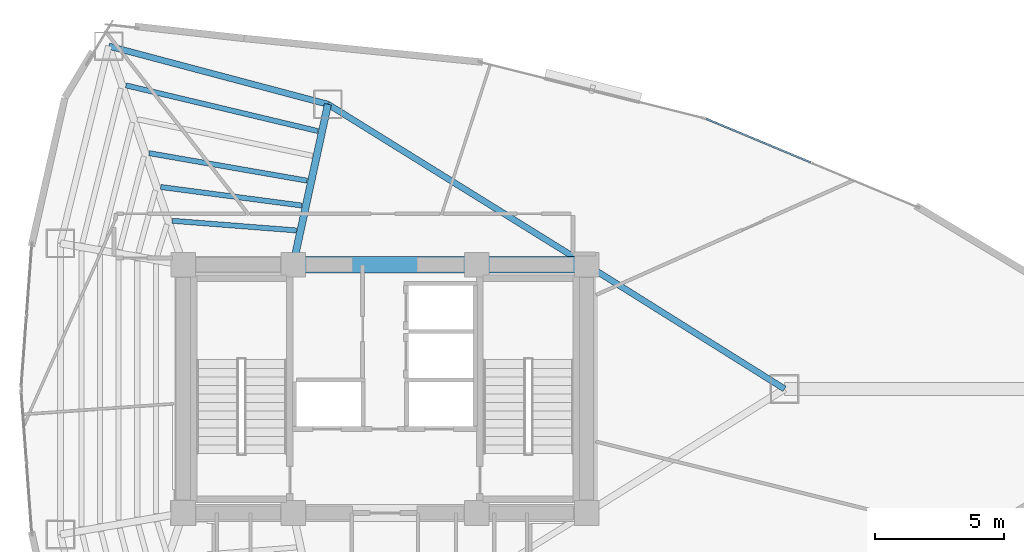
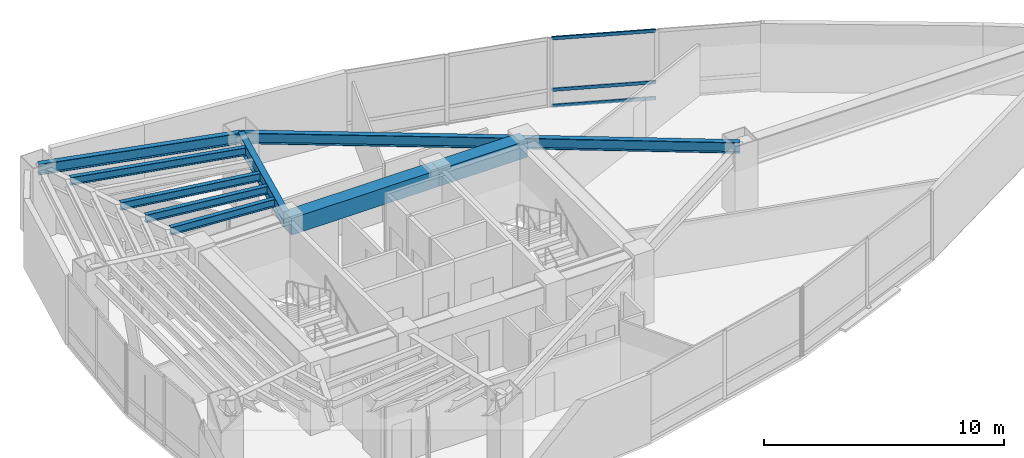
# One storey, part 8 of 18: 10 beams, 3 members, 1 element without a shape of its own.
"""IFC4 building model written with IfcOpenShell, lengths in metres."""

from ifc_helpers import new_model, si_unit, direction, frame, origin, origin_2d, place, context, subcontext, project, spatial, rectangle, hollow_rectangle, i_section, extrude, material, layer, layer_set, material_profile, profile_set, type_object, element, aggregate, save


model = new_model("IFC4")

# Units and contexts
model_context = context("Model", 3, precision=1e-05, world=origin(), true_north=direction((0.0, 1.0)))
body_context = subcontext(model_context, "Body", "Model", "MODEL_VIEW")
ifc_project = project(units=[si_unit("LENGTHUNIT", "METRE"), si_unit("AREAUNIT", "SQUARE_METRE"), si_unit("VOLUMEUNIT", "CUBIC_METRE"), si_unit("PLANEANGLEUNIT", "RADIAN"), si_unit("MASSUNIT", "GRAM", prefix="KILO")], contexts=[model_context])

# Site, building, storey
site_placement = place(None, origin())
site = spatial("IfcSite", under=ifc_project, at=site_placement, CompositionType="ELEMENT")
building_placement = place(site_placement, origin())
building = spatial("IfcBuilding", under=site, at=building_placement, Name="Menara Vayukalpa", CompositionType="ELEMENT")
storey_placement = place(building_placement, frame((0.0, 0.0, 158.0400390625)))
storey = spatial("IfcBuildingStorey", under=building, at=storey_placement, Name="L39", CompositionType="ELEMENT", Elevation=158.0400390625)

# Beams
ifc_material_1 = material(Name="Concrete C60/75", Category="concrete")
ifc_material_profile_1 = material_profile(ifc_material_1, rectangle(XDim=0.64990234375, YDim=0.85009765625, at=origin_2d()), Name="RC 650x850")
ifc_profile_set_1 = profile_set([ifc_material_profile_1], Name="Concrete C60/75")
beam_type_1 = type_object("IfcBeamType", Name="BM-CB1", PredefinedType="BEAM", material=ifc_profile_set_1)
beam_1_placement = place(storey_placement, frame((22.050048828125, 26.800048828125, 3.074951171875), z_axis=(1.0, 0.0, 0.0), x_axis=(0.0, 1.0, 0.0)))
element("IfcBeam", 1, at=beam_1_placement, inside=storey, type_object=beam_type_1, Name="L39 Core Tie Beam CBR5", PredefinedType="BEAM", context=body_context, shape_type="SweptSolid", body=[
    extrude(rectangle(XDim=0.64990234375, YDim=0.85009765625, at=origin_2d()), origin(), (0.0, 0.0, 1.0), 7.099853515625),
])
beam_2_placement = place(storey_placement, frame((29.14990234375, 26.800048828125, 3.074951171875), z_axis=(1.0, 0.0, 0.0), x_axis=(0.0, 1.0, 0.0)))
element("IfcBeam", 2, at=beam_2_placement, inside=storey, type_object=beam_type_1, Name="L39 Core Tie Beam CBR6", PredefinedType="BEAM", context=body_context, shape_type="SweptSolid", body=[
    extrude(rectangle(XDim=0.64990234375, YDim=0.85009765625, at=origin_2d()), origin(), (0.0, 0.0, 1.0), 4.25),
])
ifc_material_2 = material(Name="Steel S355", Category="steel")
ifc_material_profile_2 = material_profile(ifc_material_2, i_section(OverallWidth=0.280029296875, OverallDepth=0.75, WebThickness=0.013916015625, FlangeThickness=0.02490234375, at=origin_2d()), Name="WF 750x280x14x25")
ifc_profile_set_2 = profile_set([ifc_material_profile_2], Name="Steel S355")
beam_type_2 = type_object("IfcBeamType", Name="BM-PG4", PredefinedType="BEAM", material=ifc_profile_set_2)
beam_3_placement = place(storey_placement, frame((22.10302734375, 27.044189453125, 3.125), z_axis=(0.211898459532, 0.9772916877, 0.0), x_axis=(-0.9772916877, 0.211898459532, 0.0)))
element("IfcBeam", 3, at=beam_3_placement, inside=storey, type_object=beam_type_2, Name="L39 Primary Radial Girder RG03", PredefinedType="BEAM", context=body_context, shape_type="SweptSolid", body=[
    extrude(i_section(OverallWidth=0.280029296875, OverallDepth=0.75, WebThickness=0.013916015625, FlangeThickness=0.02490234375, at=origin_2d()), origin(), (0.0, 0.0, 1.0), 6.1064453125),
])
ifc_material_3 = material(Name="Steel S355", Category="steel")
ifc_material_profile_3 = material_profile(ifc_material_3, i_section(OverallWidth=0.199951171875, OverallDepth=0.39990234375, WebThickness=0.008056640625, FlangeThickness=0.012939453125, at=origin_2d()), Name="WF 400x200x8x13")
ifc_profile_set_3 = profile_set([ifc_material_profile_3], Name="Steel S355")
beam_type_3 = type_object("IfcBeamType", Name="BM-SJ2", PredefinedType="JOIST", material=ifc_profile_set_3)
beam_4_placement = place(storey_placement, frame((22.176513671875, 28.130859375, 3.300048828125), z_axis=(-0.996983386276, 0.077615252944, 0.0), x_axis=(-0.077615252944, -0.996983386276, 0.0)))
element("IfcBeam", 4, at=beam_4_placement, inside=storey, type_object=beam_type_3, Name="L39 Secondary Floor Joist SJ03-1", PredefinedType="JOIST", context=body_context, shape_type="SweptSolid", body=[
    extrude(i_section(OverallWidth=0.199951171875, OverallDepth=0.39990234375, WebThickness=0.008056640625, FlangeThickness=0.012939453125, at=origin_2d()), origin(), (0.0, 0.0, 1.0), 4.81591796875),
])
beam_5_placement = place(storey_placement, frame((22.38427734375, 29.09423828125, 3.300048828125), z_axis=(-0.991462596105, 0.130391412773, 0.0), x_axis=(-0.130391412773, -0.991462596105, 0.0)))
element("IfcBeam", 5, at=beam_5_placement, inside=storey, type_object=beam_type_3, Name="L39 Secondary Floor Joist SJ03-2", PredefinedType="JOIST", context=body_context, shape_type="SweptSolid", body=[
    extrude(i_section(OverallWidth=0.199951171875, OverallDepth=0.39990234375, WebThickness=0.008056640625, FlangeThickness=0.012939453125, at=origin_2d()), origin(), (0.0, 0.0, 1.0), 5.504638671875),
])
beam_6_placement = place(storey_placement, frame((22.59228515625, 30.0556640625, 3.300048828125), z_axis=(-0.985157431798, 0.171653239334, 0.0), x_axis=(-0.171653239334, -0.985157431798, 0.0)))
element("IfcBeam", 6, at=beam_6_placement, inside=storey, type_object=beam_type_3, Name="L39 Secondary Floor Joist SJ03-3", PredefinedType="JOIST", context=body_context, shape_type="SweptSolid", body=[
    extrude(i_section(OverallWidth=0.199951171875, OverallDepth=0.39990234375, WebThickness=0.008056640625, FlangeThickness=0.012939453125, at=origin_2d()), origin(), (0.0, 0.0, 1.0), 6.206787109375),
])
beam_7_placement = place(storey_placement, frame((23.00830078125, 31.974853515625, 3.300048828125), z_axis=(-0.972815476519, 0.231581624151, 0.0), x_axis=(-0.231581624151, -0.972815476519, 0.0)))
element("IfcBeam", 7, at=beam_7_placement, inside=storey, type_object=beam_type_3, Name="L39 Secondary Floor Joist SJ03-5", PredefinedType="JOIST", context=body_context, shape_type="SweptSolid", body=[
    extrude(i_section(OverallWidth=0.199951171875, OverallDepth=0.39990234375, WebThickness=0.008056640625, FlangeThickness=0.012939453125, at=origin_2d()), origin(), (0.0, 0.0, 1.0), 7.6357421875),
])
ifc_material_4 = material(Name="Steel S355", Category="steel")
ifc_material_profile_4 = material_profile(ifc_material_4, i_section(OverallWidth=0.239990234375, OverallDepth=0.550048828125, WebThickness=0.010986328125, FlangeThickness=0.01904296875, at=origin_2d()), Name="WF 550x240x11x19")
ifc_profile_set_4 = profile_set([ifc_material_profile_4], Name="Steel S355")
beam_type_4 = type_object("IfcBeamType", Name="BM-SP2", PredefinedType="SPANDREL", material=ifc_profile_set_4)
beam_8_placement = place(storey_placement, frame((41.05908203125, 22.0, 3.224853515625), z_axis=(-0.847348220701, 0.531037656739, 0.0), x_axis=(-0.531037656739, -0.847348220701, 0.0)))
element("IfcBeam", 8, at=beam_8_placement, inside=storey, type_object=beam_type_4, Name="L39 Perimeter Spandrel Beam SP01", PredefinedType="SPANDREL", context=body_context, shape_type="SweptSolid", body=[
    extrude(i_section(OverallWidth=0.239990234375, OverallDepth=0.550048828125, WebThickness=0.010986328125, FlangeThickness=0.01904296875, at=origin_2d()), origin(), (0.0, 0.0, 1.0), 9.0390625),
])
beam_9_placement = place(storey_placement, frame((33.39990234375, 26.800048828125, 3.224853515625), z_axis=(-0.849518408464, 0.527558976495, 0.0), x_axis=(-0.527558976495, -0.849518408464, 0.0)))
element("IfcBeam", 9, at=beam_9_placement, inside=storey, type_object=beam_type_4, Name="L39 Perimeter Spandrel Beam SP02", PredefinedType="SPANDREL", context=body_context, shape_type="SweptSolid", body=[
    extrude(i_section(OverallWidth=0.239990234375, OverallDepth=0.550048828125, WebThickness=0.010986328125, FlangeThickness=0.01904296875, at=origin_2d()), origin(), (0.0, 0.0, 1.0), 11.77490234375),
])
beam_10_placement = place(storey_placement, frame((23.39697265625, 33.011962890625, 3.224853515625), z_axis=(-0.96657141455, 0.256397544009, 0.0), x_axis=(-0.256397544009, -0.96657141455, 0.0)))
element("IfcBeam", 10, at=beam_10_placement, inside=storey, type_object=beam_type_4, Name="L39 Perimeter Spandrel Beam SP03", PredefinedType="SPANDREL", context=body_context, shape_type="SweptSolid", body=[
    extrude(i_section(OverallWidth=0.239990234375, OverallDepth=0.550048828125, WebThickness=0.010986328125, FlangeThickness=0.01904296875, at=origin_2d()), origin(), (0.0, 0.0, 1.0), 8.769775390625),
])

# Curtain wall, members
ifc_material_5 = material(Name="Anodised Terracotta Aluminium Alloy 6063-T6", Category="masonry")
ifc_layer = layer(ifc_material_5, 0.179931640625)
ifc_layer_set = layer_set([ifc_layer], Name="Anodised Terracotta Aluminium Alloy 6063-T6")
curtain_wall_type = type_object("IfcCurtainWallType", Name="CW-CW4", PredefinedType="USERDEFINED", material=ifc_layer_set)
curtain_wall_placement = place(storey_placement, origin())
curtain_wall = element("IfcCurtainWall", 11, at=curtain_wall_placement, inside=storey, type_object=curtain_wall_type, Name="L39 Sky Bar Cantilever Glazed Curtain Wall CW4 04", ObjectType="UNITISED", PredefinedType="USERDEFINED")
ifc_material_6 = material(Name="Anodised Terracotta Aluminium Alloy 6063-T6", Category="masonry")
ifc_material_profile_5 = material_profile(ifc_material_6, hollow_rectangle(XDim=0.070068359375, YDim=0.1650390625, WallThickness=0.00390625, at=origin_2d()), Name="ALU 70x165x4")
ifc_profile_set_5 = profile_set([ifc_material_profile_5], Name="Anodised Terracotta Aluminium Alloy 6063-T6")
member_type = type_object("IfcMemberType", Name="CWT-CW4", PredefinedType="USERDEFINED", material=ifc_profile_set_5)
member_1_placement = place(storey_placement, frame((42.063720703125, 30.765869140625, 0.034912109375), z_axis=(-0.922868513183, 0.385115187152, 0.0), x_axis=(-0.385115187152, -0.922868513183, 0.0)))
member_1 = element("IfcMember", 12, at=member_1_placement, type_object=member_type, Name="CW4 transom 2.1", ObjectType="TRANSOM", PredefinedType="USERDEFINED", context=body_context, shape_type="SweptSolid", body=[
    extrude(hollow_rectangle(XDim=0.070068359375, YDim=0.1650390625, WallThickness=0.00390625, at=origin_2d()), origin(), (0.0, 0.0, 1.0), 4.369873046875),
])
member_2_placement = place(storey_placement, frame((42.063720703125, 30.765869140625, 0.849853515625), z_axis=(-0.922868513183, 0.385115187152, 0.0), x_axis=(-0.385115187152, -0.922868513183, 0.0)))
member_2 = element("IfcMember", 13, at=member_2_placement, type_object=member_type, Name="CW4 transom 2.2", ObjectType="TRANSOM", PredefinedType="USERDEFINED", context=body_context, shape_type="SweptSolid", body=[
    extrude(hollow_rectangle(XDim=0.070068359375, YDim=0.1650390625, WallThickness=0.00390625, at=origin_2d()), origin(), (0.0, 0.0, 1.0), 4.369873046875),
])
member_3_placement = place(storey_placement, frame((42.063720703125, 30.765869140625, 3.46484375), z_axis=(-0.922868513183, 0.385115187152, 0.0), x_axis=(-0.385115187152, -0.922868513183, 0.0)))
member_3 = element("IfcMember", 14, at=member_3_placement, type_object=member_type, Name="CW4 transom 2.3", ObjectType="TRANSOM", PredefinedType="USERDEFINED", context=body_context, shape_type="SweptSolid", body=[
    extrude(hollow_rectangle(XDim=0.070068359375, YDim=0.1650390625, WallThickness=0.00390625, at=origin_2d()), origin(), (0.0, 0.0, 1.0), 4.369873046875),
])
aggregate(curtain_wall, [member_1, member_2, member_3])

save(model, "model.ifc")
